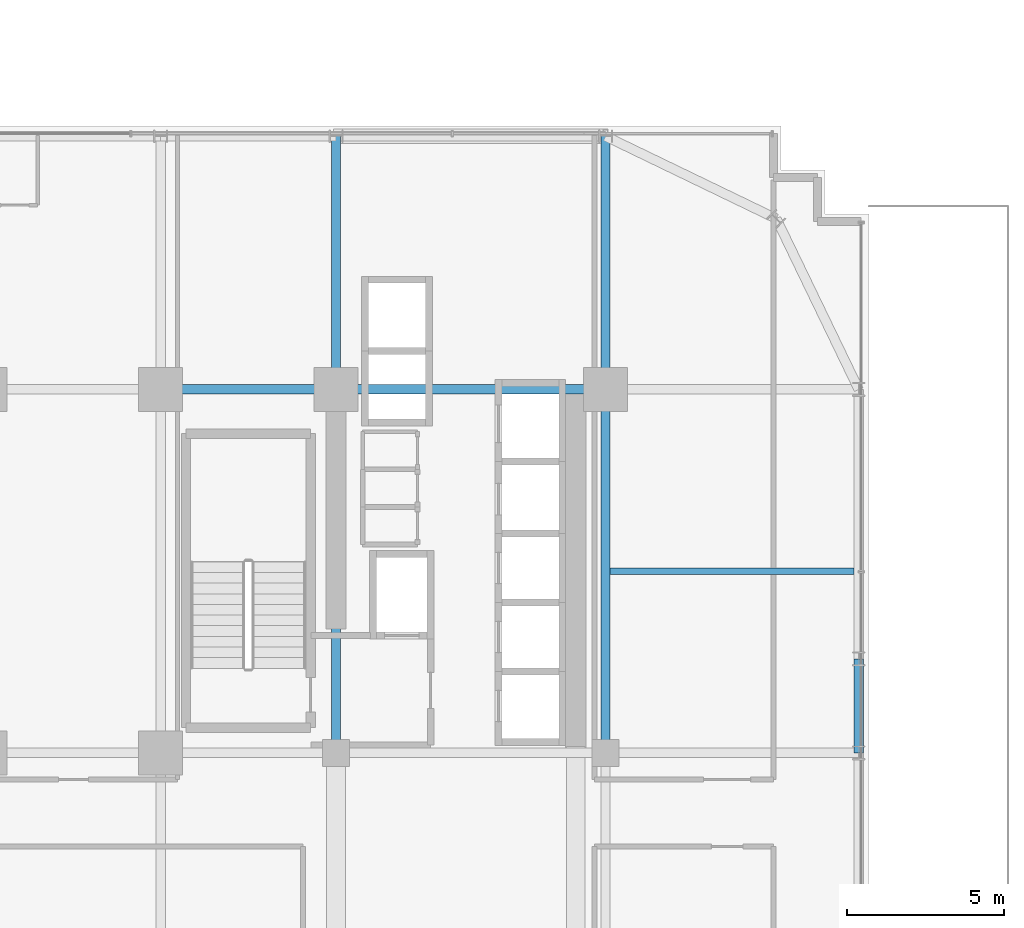
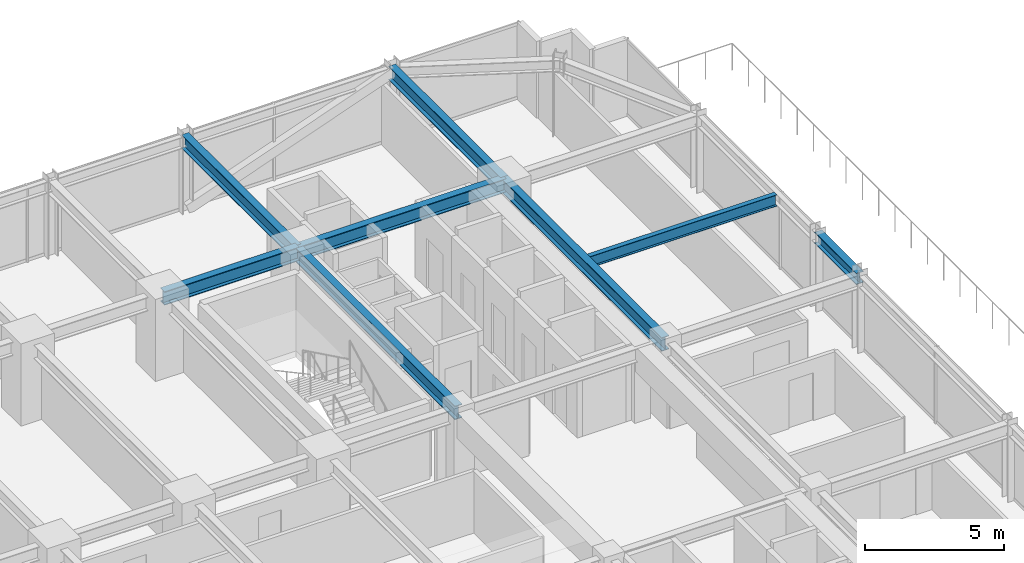
# One storey, part 25 of 39: 8 beams.
"""IFC4 building model written with IfcOpenShell, lengths in metres."""

from ifc_helpers import new_model, si_unit, direction, frame, origin, origin_2d, place, context, subcontext, project, spatial, i_section, extrude, source, transform, mapped, material, material_profile, profile_set, type_object, element, save


model = new_model("IFC4")

# Units and contexts
model_context = context("Model", 3, precision=1e-05, world=origin(), true_north=direction((0.0, 1.0)))
body_context = subcontext(model_context, "Body", "Model", "MODEL_VIEW")
ifc_project = project(units=[si_unit("LENGTHUNIT", "METRE"), si_unit("AREAUNIT", "SQUARE_METRE"), si_unit("VOLUMEUNIT", "CUBIC_METRE"), si_unit("PLANEANGLEUNIT", "RADIAN"), si_unit("MASSUNIT", "GRAM", prefix="KILO")], contexts=[model_context])

# Site, building, storey
site_placement = place(None, origin())
site = spatial("IfcSite", under=ifc_project, at=site_placement, CompositionType="ELEMENT")
building_placement = place(site_placement, origin())
building = spatial("IfcBuilding", under=site, at=building_placement, Name="Nahalor Promenade Grand Hotel", CompositionType="ELEMENT")
storey_placement = place(building_placement, frame((0.0, 0.0, 32.39990234375)))
storey = spatial("IfcBuildingStorey", under=building, at=storey_placement, Name="L06", CompositionType="ELEMENT", Elevation=32.39990234375)

# Beams
ifc_material = material(Name="Steel S355JR", Category="steel")
ifc_material_profile_1 = material_profile(ifc_material, i_section(OverallWidth=0.3, OverallDepth=0.6, WebThickness=0.0155, FlangeThickness=0.03, at=origin_2d()), Name="HEB 600")
ifc_profile_set_1 = profile_set([ifc_material_profile_1], Name="Steel S355JR")
beam_type_1 = type_object("IfcBeamType", Name="Beam-Girder-HEB600", PredefinedType="BEAM", material=ifc_profile_set_1)
shared_shape_1 = source(origin(), body_context, "Body", "SweptSolid", [
    extrude(i_section(OverallWidth=0.3, OverallDepth=0.6, WebThickness=0.0155, FlangeThickness=0.03, at=origin_2d()), origin(), (0.0, 0.0, 1.0), 8.60009765625),
])
beam_1_placement = place(storey_placement, frame((8.39990234375, 17.0, 3.070068359375), z_axis=(1.0, 0.0, 0.0), x_axis=(0.0, 1.0, 0.0)))
element("IfcBeam", 1, at=beam_1_placement, inside=storey, type_object=beam_type_1, Name="BM-L06-GX-3-5", PredefinedType="BEAM", context=body_context, shape_type="MappedRepresentation", body=[
    mapped(shared_shape_1, transform((0.0, 0.0, 0.0), scale=1.0)),
])
shared_shape_2 = source(origin(), body_context, "Body", "SweptSolid", [
    extrude(i_section(OverallWidth=0.3, OverallDepth=0.6, WebThickness=0.0155, FlangeThickness=0.03, at=origin_2d()), origin(), (0.0, 0.0, 1.0), 5.599853515625),
])
beam_2_placement = place(storey_placement, frame((2.800048828125, 17.0, 3.070068359375), z_axis=(1.0, 0.0, 0.0), x_axis=(0.0, 1.0, 0.0)))
element("IfcBeam", 2, at=beam_2_placement, inside=storey, type_object=beam_type_1, Name="BM-L06-GX-3-4", PredefinedType="BEAM", context=body_context, shape_type="MappedRepresentation", body=[
    mapped(shared_shape_2, transform((0.0, 0.0, 0.0), scale=1.0)),
])
shared_shape_3 = source(origin(), body_context, "Body", "SweptSolid", [
    extrude(i_section(OverallWidth=0.3, OverallDepth=0.6, WebThickness=0.0155, FlangeThickness=0.03, at=origin_2d()), origin(), (0.0, 0.0, 1.0), 11.60009765625),
])
for number, where, z_axis, x_axis, name in (
    (3, (8.39990234375, 5.39990234375, 3.070068359375), (0.0, 1.0, 0.0), (-1.0, 0.0, 0.0), "BM-L06-GY-4-3"),
    (4, (17.0, 5.39990234375, 3.070068359375), (0.0, 1.0, 0.0), (-1.0, 0.0, 0.0), "BM-L06-GY-5-3"),
):
    element("IfcBeam", number, at=place(storey_placement, frame(where, z_axis=z_axis, x_axis=x_axis)), inside=storey, type_object=beam_type_1, Name=name, PredefinedType="BEAM", context=body_context, shape_type="MappedRepresentation", body=[
        mapped(shared_shape_3, transform((0.0, 0.0, 0.0), scale=1.0)),
    ])
ifc_material_profile_2 = material_profile(ifc_material, i_section(OverallWidth=0.3, OverallDepth=0.5, WebThickness=0.0145, FlangeThickness=0.028, at=origin_2d()), Name="HEB 500")
ifc_profile_set_2 = profile_set([ifc_material_profile_2], Name="Steel S355JR")
beam_type_2 = type_object("IfcBeamType", Name="Beam-Spandrel-HEB500", PredefinedType="SPANDREL", material=ifc_profile_set_2)
shared_shape_4 = source(origin(), body_context, "Body", "SweptSolid", [
    extrude(i_section(OverallWidth=0.3, OverallDepth=0.5, WebThickness=0.0145, FlangeThickness=0.028, at=origin_2d()), origin(), (0.0, 0.0, 1.0), 3.0),
])
beam_3_placement = place(storey_placement, frame((25.080078125, 5.39990234375, 3.1201171875), z_axis=(0.0, 1.0, 0.0), x_axis=(-1.0, 0.0, 0.0)))
element("IfcBeam", 5, at=beam_3_placement, inside=storey, type_object=beam_type_2, Name="BM-L06-SP-E-3", PredefinedType="SPANDREL", context=body_context, shape_type="MappedRepresentation", body=[
    mapped(shared_shape_4, transform((0.0, 0.0, 0.0), scale=1.0)),
])
shared_shape_5 = source(origin(), body_context, "Body", "SweptSolid", [
    extrude(i_section(OverallWidth=0.3, OverallDepth=0.6, WebThickness=0.0155, FlangeThickness=0.03, at=origin_2d()), origin(), (0.0, 0.0, 1.0), 8.080078125),
])
for number, where, z_axis, x_axis, name in (
    (6, (8.39990234375, 17.0, 3.070068359375), (0.0, 1.0, 0.0), (-1.0, 0.0, 0.0), "BM-L06-GY-4-4"),
    (7, (17.0, 17.0, 3.070068359375), (0.0, 1.0, 0.0), (-1.0, 0.0, 0.0), "BM-L06-GY-5-4"),
):
    element("IfcBeam", number, at=place(storey_placement, frame(where, z_axis=z_axis, x_axis=x_axis)), inside=storey, type_object=beam_type_1, Name=name, PredefinedType="BEAM", context=body_context, shape_type="MappedRepresentation", body=[
        mapped(shared_shape_5, transform((0.0, 0.0, 0.0), scale=1.0)),
    ])
ifc_material_profile_3 = material_profile(ifc_material, i_section(OverallWidth=0.2, OverallDepth=0.5, WebThickness=0.0102, FlangeThickness=0.016, at=origin_2d()), Name="IPE 500")
ifc_profile_set_3 = profile_set([ifc_material_profile_3], Name="Steel S355JR")
beam_type_3 = type_object("IfcBeamType", Name="Beam-Joist-IPE500", PredefinedType="JOIST", material=ifc_profile_set_3)
shared_shape_6 = source(origin(), body_context, "Body", "SweptSolid", [
    extrude(i_section(OverallWidth=0.2, OverallDepth=0.5, WebThickness=0.0102, FlangeThickness=0.016, at=origin_2d()), origin(), (0.0, 0.0, 1.0), 7.780029296875),
])
beam_4_placement = place(storey_placement, frame((17.14990234375, 11.199951171875, 3.1201171875), z_axis=(1.0, 0.0, 0.0), x_axis=(0.0, 1.0, 0.0)))
element("IfcBeam", 8, at=beam_4_placement, inside=storey, type_object=beam_type_3, Name="BM-L06-JSE-1-2", PredefinedType="JOIST", context=body_context, shape_type="MappedRepresentation", body=[
    mapped(shared_shape_6, transform((0.0, 0.0, 0.0), scale=1.0)),
])

save(model, "model.ifc")
